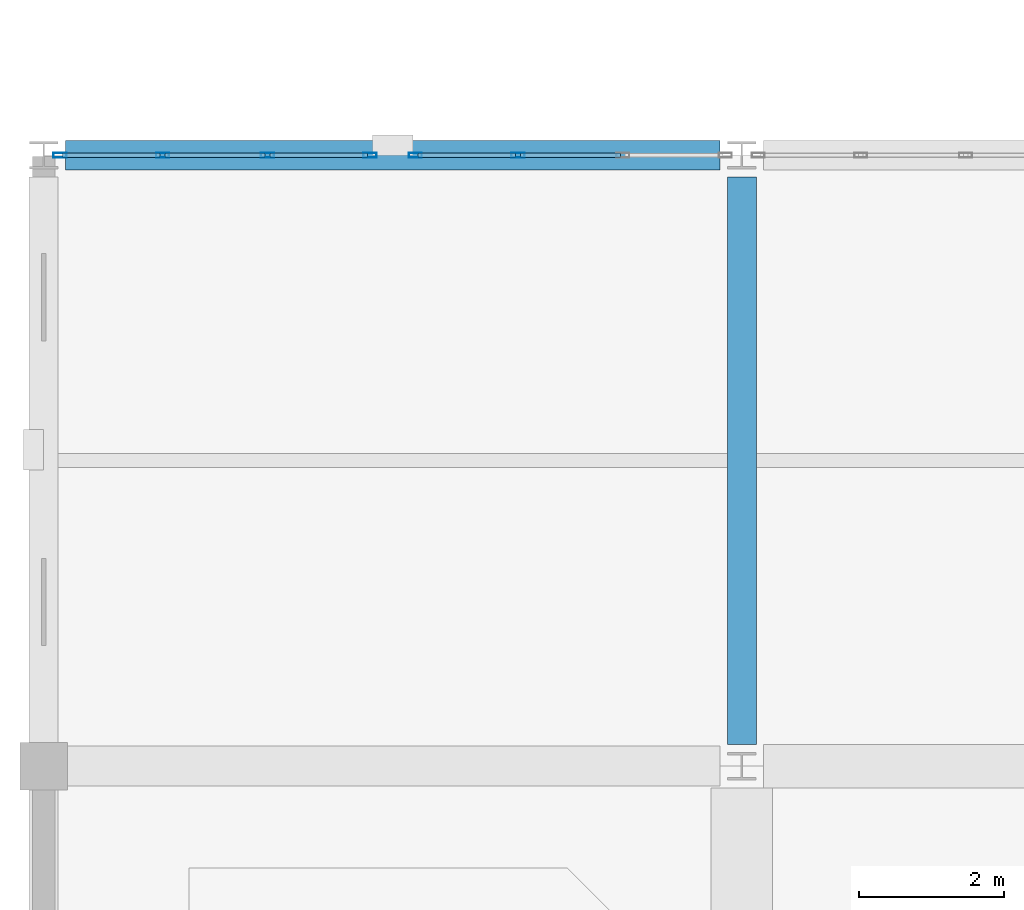
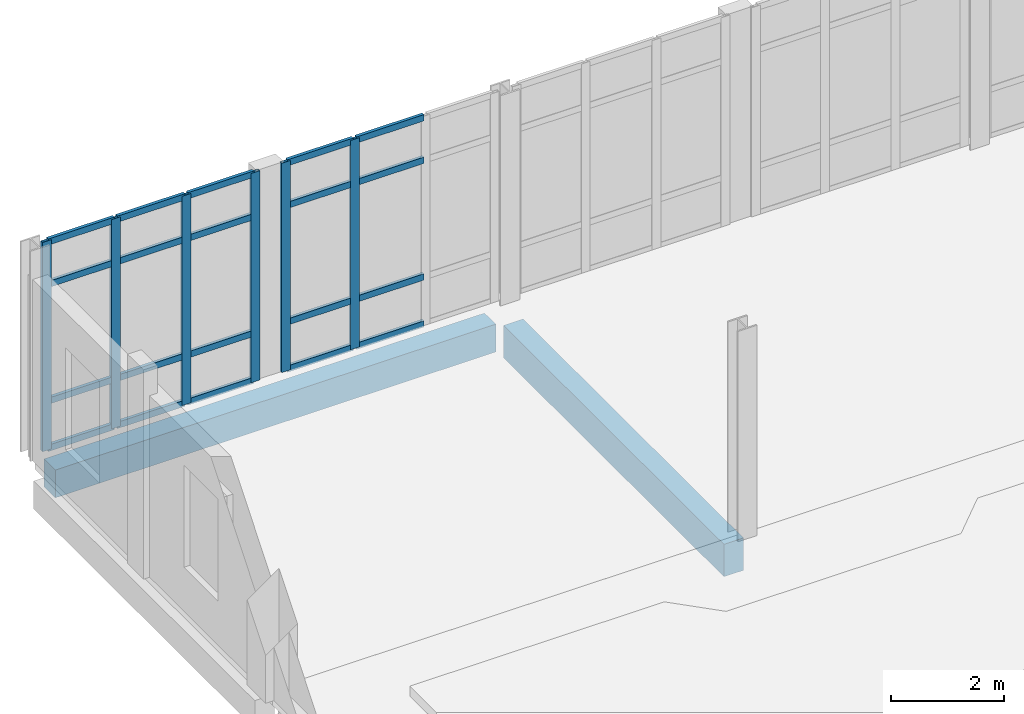
# One storey, part 56 of 102: 26 members, 2 beams, 2 elements without a shape of their own.
"""IFC4 building model written with IfcOpenShell, lengths in metres."""

from ifc_helpers import new_model, si_unit, direction, frame, origin, origin_2d, place, context, subcontext, project, spatial, rectangle, hollow_rectangle, extrude, material, layer, layer_set, material_profile, profile_set, type_object, element, aggregate, save


model = new_model("IFC4")

# Units and contexts
model_context = context("Model", 3, precision=1e-05, world=origin(), true_north=direction((0.0, 1.0)))
body_context = subcontext(model_context, "Body", "Model", "MODEL_VIEW")
ifc_project = project(units=[si_unit("LENGTHUNIT", "METRE"), si_unit("AREAUNIT", "SQUARE_METRE"), si_unit("VOLUMEUNIT", "CUBIC_METRE"), si_unit("PLANEANGLEUNIT", "RADIAN"), si_unit("MASSUNIT", "GRAM", prefix="KILO")], contexts=[model_context])

# Site, building, storey
site_placement = place(None, origin())
site = spatial("IfcSite", under=ifc_project, at=site_placement, CompositionType="ELEMENT")
building_placement = place(site_placement, origin())
building = spatial("IfcBuilding", under=site, at=building_placement, Name="Lornevale Opera House", CompositionType="ELEMENT")
storey_placement = place(building_placement, frame((0.0, 0.0, 5.39990234375)))
storey = spatial("IfcBuildingStorey", under=building, at=storey_placement, Name="L02", CompositionType="ELEMENT", Elevation=5.39990234375)

# Beams
ifc_material_1 = material(Name="Concrete 35 MPa (CSA A23.1 N)", Category="concrete")
ifc_material_profile_1 = material_profile(ifc_material_1, rectangle(XDim=0.39990234375, YDim=0.699951171875, at=origin_2d()), Name="RC400x700")
ifc_profile_set_1 = profile_set([ifc_material_profile_1], Name="Concrete 35 MPa (CSA A23.1 N)")
beam_type_1 = type_object("IfcBeamType", Name="Concrete Floor Beam 400x700", PredefinedType="USERDEFINED", material=ifc_profile_set_1)
beam_1_placement = place(storey_placement, frame((9.60009765625, 92.699951171875, -0.699951171875), z_axis=(0.0, 1.0, 0.0), x_axis=(-1.0, 0.0, 0.0)))
element("IfcBeam", 1, at=beam_1_placement, inside=storey, type_object=beam_type_1, Name="Concrete Floor Beam 400x700 1837", ObjectType="GIRDER", PredefinedType="USERDEFINED", context=body_context, shape_type="SweptSolid", body=[
    extrude(rectangle(XDim=0.39990234375, YDim=0.699951171875, at=origin_2d()), origin(), (0.0, 0.0, 1.0), 7.800048828125),
])
ifc_material_profile_2 = material_profile(ifc_material_1, rectangle(XDim=0.39990234375, YDim=0.60009765625, at=origin_2d()), Name="RC400x600")
ifc_profile_set_2 = profile_set([ifc_material_profile_2], Name="Concrete 35 MPa (CSA A23.1 N)")
beam_type_2 = type_object("IfcBeamType", Name="Concrete Spandrel Beam 400x600", PredefinedType="SPANDREL", material=ifc_profile_set_2)
beam_2_placement = place(storey_placement, frame((0.300048828125, 100.800048828125, -0.64990234375), z_axis=(1.0, 0.0, 0.0), x_axis=(0.0, 1.0, 0.0)))
element("IfcBeam", 2, at=beam_2_placement, inside=storey, type_object=beam_type_2, Name="Concrete Spandrel Beam 400x600 1805", PredefinedType="SPANDREL", context=body_context, shape_type="SweptSolid", body=[
    extrude(rectangle(XDim=0.39990234375, YDim=0.60009765625, at=origin_2d()), origin(), (0.0, 0.0, 1.0), 9.0),
])

# Curtain wall, members
ifc_material_2 = material(Name="Anodized Oxide-Green Aluminium Framing", Category="aluminium")
ifc_layer = layer(ifc_material_2, 0.175048828125)
ifc_layer_set = layer_set([ifc_layer], Name="Anodized Oxide-Green Aluminium Framing")
curtain_wall_type = type_object("IfcCurtainWallType", Name="Chamber Cloister Curtain Wall M1700", PredefinedType="NOTDEFINED", material=ifc_layer_set)
curtain_wall_1_placement = place(storey_placement, origin())
curtain_wall_1 = element("IfcCurtainWall", 3, at=curtain_wall_1_placement, inside=storey, type_object=curtain_wall_type, Name="Chamber Cloister Curtain Wall M1700 CW-027", PredefinedType="NOTDEFINED")
ifc_material_profile_3 = material_profile(ifc_material_2, hollow_rectangle(XDim=0.06494140625, YDim=0.179931640625, WallThickness=0.0048828125, at=origin_2d()), Name="ALU65x180x5")
ifc_profile_set_3 = profile_set([ifc_material_profile_3], Name="Anodized Oxide-Green Aluminium Framing")
member_type_1 = type_object("IfcMemberType", Name="Curtain Wall Mullion 65x180", PredefinedType="MULLION", material=ifc_profile_set_3)
member_1_placement = place(storey_placement, frame((0.2255859375, 100.800048828125, 0.0), z_axis=(0.0, 0.0, 1.0), x_axis=(0.0, 1.0, 0.0)))
member_1 = element("IfcMember", 4, at=member_1_placement, type_object=member_type_1, Name="Curtain Wall Mullion 65x180 CW0483", PredefinedType="MULLION", context=body_context, shape_type="SweptSolid", body=[
    extrude(hollow_rectangle(XDim=0.06494140625, YDim=0.179931640625, WallThickness=0.0048828125, at=origin_2d()), origin(), (0.0, 0.0, 1.0), 4.52001953125),
])
member_2_placement = place(storey_placement, frame((1.63525390625, 100.800048828125, 0.0), z_axis=(0.0, 0.0, 1.0), x_axis=(0.0, 1.0, 0.0)))
member_2 = element("IfcMember", 5, at=member_2_placement, type_object=member_type_1, Name="Curtain Wall Mullion 65x180 CW0484", PredefinedType="MULLION", context=body_context, shape_type="SweptSolid", body=[
    extrude(hollow_rectangle(XDim=0.06494140625, YDim=0.179931640625, WallThickness=0.0048828125, at=origin_2d()), origin(), (0.0, 0.0, 1.0), 4.52001953125),
])
member_3_placement = place(storey_placement, frame((3.07763671875, 100.800048828125, 0.0), z_axis=(0.0, 0.0, 1.0), x_axis=(0.0, 1.0, 0.0)))
member_3 = element("IfcMember", 6, at=member_3_placement, type_object=member_type_1, Name="Curtain Wall Mullion 65x180 CW0485", PredefinedType="MULLION", context=body_context, shape_type="SweptSolid", body=[
    extrude(hollow_rectangle(XDim=0.06494140625, YDim=0.179931640625, WallThickness=0.0048828125, at=origin_2d()), origin(), (0.0, 0.0, 1.0), 4.52001953125),
])
member_4_placement = place(storey_placement, frame((4.487548828125, 100.800048828125, 0.0), z_axis=(0.0, 0.0, 1.0), x_axis=(0.0, 1.0, 0.0)))
member_4 = element("IfcMember", 7, at=member_4_placement, type_object=member_type_1, Name="Curtain Wall Mullion 65x180 CW0486", PredefinedType="MULLION", context=body_context, shape_type="SweptSolid", body=[
    extrude(hollow_rectangle(XDim=0.06494140625, YDim=0.179931640625, WallThickness=0.0048828125, at=origin_2d()), origin(), (0.0, 0.0, 1.0), 4.52001953125),
])

curtain_wall_2_placement = place(storey_placement, origin())
curtain_wall_2 = element("IfcCurtainWall", 8, at=curtain_wall_2_placement, inside=storey, type_object=curtain_wall_type, Name="Chamber Cloister Curtain Wall M1700 CW-028", PredefinedType="NOTDEFINED")
member_5_placement = place(storey_placement, frame((5.112548828125, 100.800048828125, 0.0), z_axis=(0.0, 0.0, 1.0), x_axis=(0.0, 1.0, 0.0)))
member_5 = element("IfcMember", 9, at=member_5_placement, type_object=member_type_1, Name="Curtain Wall Mullion 65x180 CW0508", PredefinedType="MULLION", context=body_context, shape_type="SweptSolid", body=[
    extrude(hollow_rectangle(XDim=0.06494140625, YDim=0.179931640625, WallThickness=0.0048828125, at=origin_2d()), origin(), (0.0, 0.0, 1.0), 4.52001953125),
])
member_6_placement = place(storey_placement, frame((6.522216796875, 100.800048828125, 0.0), z_axis=(0.0, 0.0, 1.0), x_axis=(0.0, 1.0, 0.0)))
member_6 = element("IfcMember", 10, at=member_6_placement, type_object=member_type_1, Name="Curtain Wall Mullion 65x180 CW0509", PredefinedType="MULLION", context=body_context, shape_type="SweptSolid", body=[
    extrude(hollow_rectangle(XDim=0.06494140625, YDim=0.179931640625, WallThickness=0.0048828125, at=origin_2d()), origin(), (0.0, 0.0, 1.0), 4.52001953125),
])

# Member
ifc_material_profile_4 = material_profile(ifc_material_2, hollow_rectangle(XDim=0.06494140625, YDim=0.135009765625, WallThickness=0.00390625, at=origin_2d()), Name="ALU65x135x4")
ifc_profile_set_4 = profile_set([ifc_material_profile_4], Name="Anodized Oxide-Green Aluminium Framing")
member_type_2 = type_object("IfcMemberType", Name="Curtain Wall Transom 65x135", PredefinedType="USERDEFINED", material=ifc_profile_set_4)
member_7_placement = place(storey_placement, frame((0.258056640625, 100.800048828125, 0.03271484375), z_axis=(1.0, 0.0, 0.0), x_axis=(0.0, 1.0, 0.0)))
member_7 = element("IfcMember", 11, at=member_7_placement, type_object=member_type_2, Name="Curtain Wall Transom 65x135 CW0487", ObjectType="TRANSOM", PredefinedType="USERDEFINED", context=body_context, shape_type="SweptSolid", body=[
    extrude(hollow_rectangle(XDim=0.06494140625, YDim=0.135009765625, WallThickness=0.00390625, at=origin_2d()), origin(), (0.0, 0.0, 1.0), 1.3447265625),
])

member_8_placement = place(storey_placement, frame((0.258056640625, 100.800048828125, 1.050048828125), z_axis=(1.0, 0.0, 0.0), x_axis=(0.0, 1.0, 0.0)))
member_8 = element("IfcMember", 12, at=member_8_placement, type_object=member_type_2, Name="Curtain Wall Transom 65x135 CW0488", ObjectType="TRANSOM", PredefinedType="USERDEFINED", context=body_context, shape_type="SweptSolid", body=[
    extrude(hollow_rectangle(XDim=0.06494140625, YDim=0.135009765625, WallThickness=0.00390625, at=origin_2d()), origin(), (0.0, 0.0, 1.0), 1.3447265625),
])

member_9_placement = place(storey_placement, frame((0.258056640625, 100.800048828125, 3.570068359375), z_axis=(1.0, 0.0, 0.0), x_axis=(0.0, 1.0, 0.0)))
member_9 = element("IfcMember", 13, at=member_9_placement, type_object=member_type_2, Name="Curtain Wall Transom 65x135 CW0489", ObjectType="TRANSOM", PredefinedType="USERDEFINED", context=body_context, shape_type="SweptSolid", body=[
    extrude(hollow_rectangle(XDim=0.06494140625, YDim=0.135009765625, WallThickness=0.00390625, at=origin_2d()), origin(), (0.0, 0.0, 1.0), 1.3447265625),
])

member_10_placement = place(storey_placement, frame((0.258056640625, 100.800048828125, 4.487548828125), z_axis=(1.0, 0.0, 0.0), x_axis=(0.0, 1.0, 0.0)))
member_10 = element("IfcMember", 14, at=member_10_placement, type_object=member_type_2, Name="Curtain Wall Transom 65x135 CW0490", ObjectType="TRANSOM", PredefinedType="USERDEFINED", context=body_context, shape_type="SweptSolid", body=[
    extrude(hollow_rectangle(XDim=0.06494140625, YDim=0.135009765625, WallThickness=0.00390625, at=origin_2d()), origin(), (0.0, 0.0, 1.0), 1.3447265625),
])

member_11_placement = place(storey_placement, frame((1.667724609375, 100.800048828125, 0.03271484375), z_axis=(1.0, 0.0, 0.0), x_axis=(0.0, 1.0, 0.0)))
member_11 = element("IfcMember", 15, at=member_11_placement, type_object=member_type_2, Name="Curtain Wall Transom 65x135 CW0494", ObjectType="TRANSOM", PredefinedType="USERDEFINED", context=body_context, shape_type="SweptSolid", body=[
    extrude(hollow_rectangle(XDim=0.06494140625, YDim=0.135009765625, WallThickness=0.00390625, at=origin_2d()), origin(), (0.0, 0.0, 1.0), 1.37744140625),
])

member_12_placement = place(storey_placement, frame((1.667724609375, 100.800048828125, 1.050048828125), z_axis=(1.0, 0.0, 0.0), x_axis=(0.0, 1.0, 0.0)))
member_12 = element("IfcMember", 16, at=member_12_placement, type_object=member_type_2, Name="Curtain Wall Transom 65x135 CW0495", ObjectType="TRANSOM", PredefinedType="USERDEFINED", context=body_context, shape_type="SweptSolid", body=[
    extrude(hollow_rectangle(XDim=0.06494140625, YDim=0.135009765625, WallThickness=0.00390625, at=origin_2d()), origin(), (0.0, 0.0, 1.0), 1.37744140625),
])

member_13_placement = place(storey_placement, frame((1.667724609375, 100.800048828125, 3.570068359375), z_axis=(1.0, 0.0, 0.0), x_axis=(0.0, 1.0, 0.0)))
member_13 = element("IfcMember", 17, at=member_13_placement, type_object=member_type_2, Name="Curtain Wall Transom 65x135 CW0496", ObjectType="TRANSOM", PredefinedType="USERDEFINED", context=body_context, shape_type="SweptSolid", body=[
    extrude(hollow_rectangle(XDim=0.06494140625, YDim=0.135009765625, WallThickness=0.00390625, at=origin_2d()), origin(), (0.0, 0.0, 1.0), 1.37744140625),
])

member_14_placement = place(storey_placement, frame((1.667724609375, 100.800048828125, 4.487548828125), z_axis=(1.0, 0.0, 0.0), x_axis=(0.0, 1.0, 0.0)))
member_14 = element("IfcMember", 18, at=member_14_placement, type_object=member_type_2, Name="Curtain Wall Transom 65x135 CW0497", ObjectType="TRANSOM", PredefinedType="USERDEFINED", context=body_context, shape_type="SweptSolid", body=[
    extrude(hollow_rectangle(XDim=0.06494140625, YDim=0.135009765625, WallThickness=0.00390625, at=origin_2d()), origin(), (0.0, 0.0, 1.0), 1.37744140625),
])

member_15_placement = place(storey_placement, frame((3.110107421875, 100.800048828125, 0.03271484375), z_axis=(1.0, 0.0, 0.0), x_axis=(0.0, 1.0, 0.0)))
member_15 = element("IfcMember", 19, at=member_15_placement, type_object=member_type_2, Name="Curtain Wall Transom 65x135 CW0501", ObjectType="TRANSOM", PredefinedType="USERDEFINED", context=body_context, shape_type="SweptSolid", body=[
    extrude(hollow_rectangle(XDim=0.06494140625, YDim=0.135009765625, WallThickness=0.00390625, at=origin_2d()), origin(), (0.0, 0.0, 1.0), 1.344970703125),
])

member_16_placement = place(storey_placement, frame((3.110107421875, 100.800048828125, 1.050048828125), z_axis=(1.0, 0.0, 0.0), x_axis=(0.0, 1.0, 0.0)))
member_16 = element("IfcMember", 20, at=member_16_placement, type_object=member_type_2, Name="Curtain Wall Transom 65x135 CW0502", ObjectType="TRANSOM", PredefinedType="USERDEFINED", context=body_context, shape_type="SweptSolid", body=[
    extrude(hollow_rectangle(XDim=0.06494140625, YDim=0.135009765625, WallThickness=0.00390625, at=origin_2d()), origin(), (0.0, 0.0, 1.0), 1.344970703125),
])

member_17_placement = place(storey_placement, frame((3.110107421875, 100.800048828125, 3.570068359375), z_axis=(1.0, 0.0, 0.0), x_axis=(0.0, 1.0, 0.0)))
member_17 = element("IfcMember", 21, at=member_17_placement, type_object=member_type_2, Name="Curtain Wall Transom 65x135 CW0503", ObjectType="TRANSOM", PredefinedType="USERDEFINED", context=body_context, shape_type="SweptSolid", body=[
    extrude(hollow_rectangle(XDim=0.06494140625, YDim=0.135009765625, WallThickness=0.00390625, at=origin_2d()), origin(), (0.0, 0.0, 1.0), 1.344970703125),
])

member_18_placement = place(storey_placement, frame((3.110107421875, 100.800048828125, 4.487548828125), z_axis=(1.0, 0.0, 0.0), x_axis=(0.0, 1.0, 0.0)))
member_18 = element("IfcMember", 22, at=member_18_placement, type_object=member_type_2, Name="Curtain Wall Transom 65x135 CW0504", ObjectType="TRANSOM", PredefinedType="USERDEFINED", context=body_context, shape_type="SweptSolid", body=[
    extrude(hollow_rectangle(XDim=0.06494140625, YDim=0.135009765625, WallThickness=0.00390625, at=origin_2d()), origin(), (0.0, 0.0, 1.0), 1.344970703125),
])

aggregate(curtain_wall_1, [member_1, member_2, member_3, member_4, member_7, member_8, member_9, member_10, member_11, member_12, member_13, member_14, member_15, member_16, member_17, member_18])

member_19_placement = place(storey_placement, frame((5.14501953125, 100.800048828125, 0.03271484375), z_axis=(1.0, 0.0, 0.0), x_axis=(0.0, 1.0, 0.0)))
member_19 = element("IfcMember", 23, at=member_19_placement, type_object=member_type_2, Name="Curtain Wall Transom 65x135 CW0512", ObjectType="TRANSOM", PredefinedType="USERDEFINED", context=body_context, shape_type="SweptSolid", body=[
    extrude(hollow_rectangle(XDim=0.06494140625, YDim=0.135009765625, WallThickness=0.00390625, at=origin_2d()), origin(), (0.0, 0.0, 1.0), 1.3447265625),
])

member_20_placement = place(storey_placement, frame((5.14501953125, 100.800048828125, 1.050048828125), z_axis=(1.0, 0.0, 0.0), x_axis=(0.0, 1.0, 0.0)))
member_20 = element("IfcMember", 24, at=member_20_placement, type_object=member_type_2, Name="Curtain Wall Transom 65x135 CW0513", ObjectType="TRANSOM", PredefinedType="USERDEFINED", context=body_context, shape_type="SweptSolid", body=[
    extrude(hollow_rectangle(XDim=0.06494140625, YDim=0.135009765625, WallThickness=0.00390625, at=origin_2d()), origin(), (0.0, 0.0, 1.0), 1.3447265625),
])

member_21_placement = place(storey_placement, frame((5.14501953125, 100.800048828125, 3.570068359375), z_axis=(1.0, 0.0, 0.0), x_axis=(0.0, 1.0, 0.0)))
member_21 = element("IfcMember", 25, at=member_21_placement, type_object=member_type_2, Name="Curtain Wall Transom 65x135 CW0514", ObjectType="TRANSOM", PredefinedType="USERDEFINED", context=body_context, shape_type="SweptSolid", body=[
    extrude(hollow_rectangle(XDim=0.06494140625, YDim=0.135009765625, WallThickness=0.00390625, at=origin_2d()), origin(), (0.0, 0.0, 1.0), 1.3447265625),
])

member_22_placement = place(storey_placement, frame((5.14501953125, 100.800048828125, 4.487548828125), z_axis=(1.0, 0.0, 0.0), x_axis=(0.0, 1.0, 0.0)))
member_22 = element("IfcMember", 26, at=member_22_placement, type_object=member_type_2, Name="Curtain Wall Transom 65x135 CW0515", ObjectType="TRANSOM", PredefinedType="USERDEFINED", context=body_context, shape_type="SweptSolid", body=[
    extrude(hollow_rectangle(XDim=0.06494140625, YDim=0.135009765625, WallThickness=0.00390625, at=origin_2d()), origin(), (0.0, 0.0, 1.0), 1.3447265625),
])

member_23_placement = place(storey_placement, frame((6.5546875, 100.800048828125, 0.03271484375), z_axis=(1.0, 0.0, 0.0), x_axis=(0.0, 1.0, 0.0)))
member_23 = element("IfcMember", 27, at=member_23_placement, type_object=member_type_2, Name="Curtain Wall Transom 65x135 CW0519", ObjectType="TRANSOM", PredefinedType="USERDEFINED", context=body_context, shape_type="SweptSolid", body=[
    extrude(hollow_rectangle(XDim=0.06494140625, YDim=0.135009765625, WallThickness=0.00390625, at=origin_2d()), origin(), (0.0, 0.0, 1.0), 1.37744140625),
])

member_24_placement = place(storey_placement, frame((6.5546875, 100.800048828125, 1.050048828125), z_axis=(1.0, 0.0, 0.0), x_axis=(0.0, 1.0, 0.0)))
member_24 = element("IfcMember", 28, at=member_24_placement, type_object=member_type_2, Name="Curtain Wall Transom 65x135 CW0520", ObjectType="TRANSOM", PredefinedType="USERDEFINED", context=body_context, shape_type="SweptSolid", body=[
    extrude(hollow_rectangle(XDim=0.06494140625, YDim=0.135009765625, WallThickness=0.00390625, at=origin_2d()), origin(), (0.0, 0.0, 1.0), 1.37744140625),
])

member_25_placement = place(storey_placement, frame((6.5546875, 100.800048828125, 3.570068359375), z_axis=(1.0, 0.0, 0.0), x_axis=(0.0, 1.0, 0.0)))
member_25 = element("IfcMember", 29, at=member_25_placement, type_object=member_type_2, Name="Curtain Wall Transom 65x135 CW0521", ObjectType="TRANSOM", PredefinedType="USERDEFINED", context=body_context, shape_type="SweptSolid", body=[
    extrude(hollow_rectangle(XDim=0.06494140625, YDim=0.135009765625, WallThickness=0.00390625, at=origin_2d()), origin(), (0.0, 0.0, 1.0), 1.37744140625),
])

member_26_placement = place(storey_placement, frame((6.5546875, 100.800048828125, 4.487548828125), z_axis=(1.0, 0.0, 0.0), x_axis=(0.0, 1.0, 0.0)))
member_26 = element("IfcMember", 30, at=member_26_placement, type_object=member_type_2, Name="Curtain Wall Transom 65x135 CW0522", ObjectType="TRANSOM", PredefinedType="USERDEFINED", context=body_context, shape_type="SweptSolid", body=[
    extrude(hollow_rectangle(XDim=0.06494140625, YDim=0.135009765625, WallThickness=0.00390625, at=origin_2d()), origin(), (0.0, 0.0, 1.0), 1.37744140625),
])

aggregate(curtain_wall_2, [member_5, member_6, member_19, member_20, member_21, member_22, member_23, member_24, member_25, member_26])

save(model, "model.ifc")
